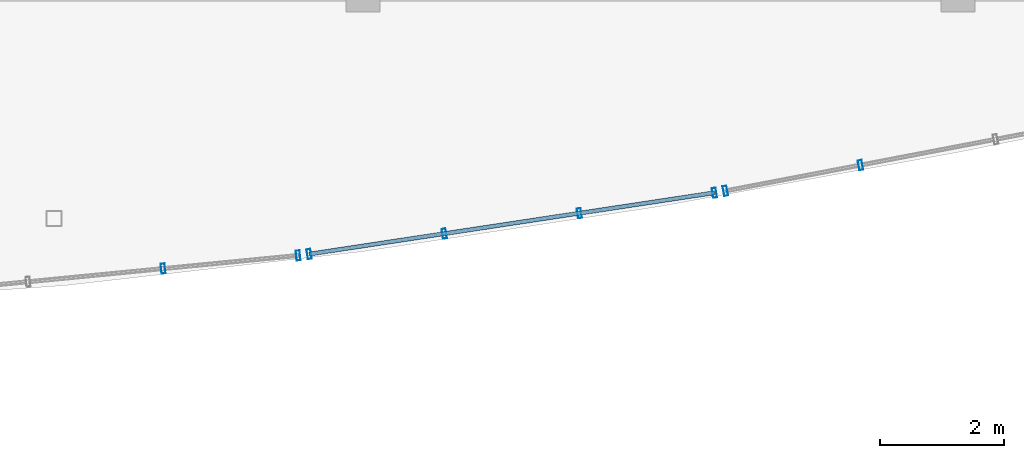
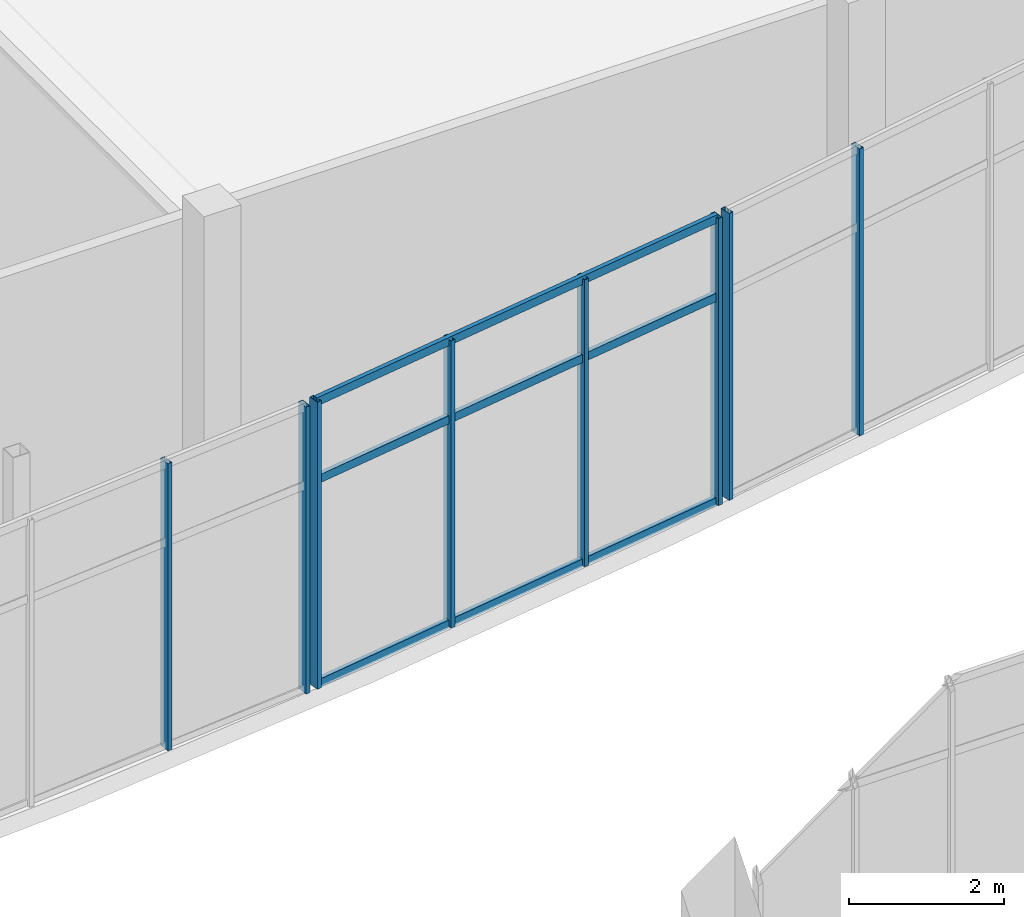
# One storey, part 84 of 157: 11 members, 3 elements without a shape of their own.
"""IFC4 building model written with IfcOpenShell, lengths in metres."""

import ifcopenshell
import ifcopenshell.guid

model = None  # the IFC model being written
_history = None  # IfcOwnerHistory: only IFC2X3 demands one
_inside = {}  # id of a spatial element -> (the spatial element, [elements in it])
_under = {}  # id of a project, library or spatial element -> (it, [spatial elements below it])
_declared = {}  # id of a project -> (the project, [libraries it declares])
_typed = {}  # id of a type object -> (the type object, [elements of that type])
_made_of = {}  # id of a material, layer set ... -> (it, [elements and type objects made of it])


def new_model(schema):
    """Start an empty IFC model of exactly this schema.

    Asked for "IFC4X3", IfcOpenShell would pick the latest addendum, in which some entities
    have other attributes; the version numbers below select the first issue.
    IFC2X3 requires an IfcOwnerHistory on every rooted entity: one is made here for all.
    """
    global model, _history
    if schema == "IFC4X3":
        model = ifcopenshell.file(schema_version=(4, 3, 0, 0))
    else:
        model = ifcopenshell.file(schema=schema)
    _inside.clear()
    _under.clear()
    _declared.clear()
    _typed.clear()
    _made_of.clear()
    _history = None
    if model.schema == "IFC2X3":
        org = make("IfcOrganization", Name="unknown")
        user = make(
            "IfcPersonAndOrganization",
            ThePerson=make("IfcPerson", FamilyName="unknown"),
            TheOrganization=org,
        )
        app = make(
            "IfcApplication",
            ApplicationDeveloper=org,
            Version="unknown",
            ApplicationFullName="unknown",
            ApplicationIdentifier="unknown",
        )
        _history = make(
            "IfcOwnerHistory",
            OwningUser=user,
            OwningApplication=app,
            ChangeAction="ADDED",
            CreationDate=0,
        )
    return model


def make(cls, **values):
    """One entity of the class cls with the attributes given. An attribute that is None is left unset."""
    return model.create_entity(
        cls, **{name: value for name, value in values.items() if value is not None}
    )


def rooted(cls, **values):
    """An entity with a GlobalId (a new one), such as an element, a storey or a relation."""
    return make(cls, GlobalId=ifcopenshell.guid.new(), OwnerHistory=_history, **values)


def si_unit(unit_type, name, prefix=None):
    """IfcSIUnit, for example si_unit("LENGTHUNIT", "METRE", prefix="MILLI")."""
    return make("IfcSIUnit", UnitType=unit_type, Prefix=prefix, Name=name)


def assignment(units):
    """IfcUnitAssignment: the units of a project."""
    return None if units is None else make("IfcUnitAssignment", Units=units)


def point(xyz):
    """IfcCartesianPoint."""
    return None if xyz is None else make("IfcCartesianPoint", Coordinates=xyz)


def direction(xyz):
    """IfcDirection."""
    return None if xyz is None else make("IfcDirection", DirectionRatios=xyz)


def frame(location, z_axis=None, x_axis=None):
    """IfcAxis2Placement3D, a coordinate frame: its origin and axes. An axis left out is left unset."""
    return make(
        "IfcAxis2Placement3D",
        Location=point(location),
        Axis=direction(z_axis),
        RefDirection=direction(x_axis),
    )


def frame_2d(location, x_axis=None):
    """IfcAxis2Placement2D, a coordinate frame in the plane: its origin and x axis."""
    return make(
        "IfcAxis2Placement2D", Location=point(location), RefDirection=direction(x_axis)
    )


def origin():
    """The frame at (0, 0, 0) with its axes left unset."""
    return frame((0.0, 0.0, 0.0))


def origin_2d():
    """The frame at (0, 0) in the plane with its x axis left unset."""
    return frame_2d((0.0, 0.0))


def place(relative_to, where):
    """IfcLocalPlacement: puts the frame where relative to a parent placement (None: the world)."""
    return make(
        "IfcLocalPlacement", PlacementRelTo=relative_to, RelativePlacement=where
    )


def context(
    kind, dimensions, precision=None, world=None, true_north=None, identifier=None
):
    """IfcGeometricRepresentationContext, for example the 3D "Model" context."""
    return make(
        "IfcGeometricRepresentationContext",
        ContextIdentifier=identifier,
        ContextType=kind,
        CoordinateSpaceDimension=dimensions,
        Precision=precision,
        WorldCoordinateSystem=world,
        TrueNorth=true_north,
    )


def subcontext(parent, identifier, kind, view, scale=None):
    """IfcGeometricRepresentationSubContext, for example "Body" below "Model"."""
    return make(
        "IfcGeometricRepresentationSubContext",
        ContextIdentifier=identifier,
        ContextType=kind,
        ParentContext=parent,
        TargetScale=scale,
        TargetView=view,
    )


def project(units=None, contexts=None):
    """IfcProject with its units and contexts."""
    return rooted(
        "IfcProject",
        Name="project",
        RepresentationContexts=contexts,
        UnitsInContext=assignment(units),
    )


def spatial(cls, under=None, at=None, **own):
    """A site, building, storey or space (cls), placed at a placement, below another one or the project."""
    s = rooted(cls, ObjectPlacement=at, **own)
    if under is not None:
        _under.setdefault(under.id(), (under, []))[1].append(s)
    return s


def profile(cls, at=None, kind="AREA", **sizes):
    """A parametric profile (cls). Its sizes go by their IFC names, for example OverallWidth=200.0."""
    return make(cls, ProfileType=kind, Position=at, **sizes)


def hollow_rectangle(**sizes):
    """IfcRectangleHollowProfileDef."""
    return profile("IfcRectangleHollowProfileDef", **sizes)


def extrude(swept, where, along, depth):
    """IfcExtrudedAreaSolid: the profile swept, set in the frame where, extruded along a direction by depth."""
    return make(
        "IfcExtrudedAreaSolid",
        SweptArea=swept,
        Position=where,
        ExtrudedDirection=direction(along),
        Depth=depth,
    )


def shape(context_of_items, identifier, shape_type, items):
    """IfcShapeRepresentation: the items that make up one representation, for example the "Body"."""
    return make(
        "IfcShapeRepresentation",
        ContextOfItems=context_of_items,
        RepresentationIdentifier=identifier,
        RepresentationType=shape_type,
        Items=items,
    )


def material(Name=None, Category=None):
    """IfcMaterial."""
    return make("IfcMaterial", Name=Name, Category=Category)


def layer(
    of_material, thickness, ventilated=None, Name=None, Category=None, Priority=None
):
    """IfcMaterialLayer: one layer of a wall or slab, of a material (None: an air gap)."""
    return make(
        "IfcMaterialLayer",
        Material=of_material,
        LayerThickness=thickness,
        IsVentilated=ventilated,
        Name=Name,
        Category=Category,
        Priority=Priority,
    )


def layer_set(layers, Name=None):
    """IfcMaterialLayerSet."""
    return make("IfcMaterialLayerSet", MaterialLayers=layers, LayerSetName=Name)


def material_profile(
    of_material, cross_section, Name=None, Category=None, Priority=None
):
    """IfcMaterialProfile: a cross section and its material."""
    return make(
        "IfcMaterialProfile",
        Name=Name,
        Material=of_material,
        Profile=cross_section,
        Priority=Priority,
        Category=Category,
    )


def profile_set(profiles, Name=None, composite=None):
    """IfcMaterialProfileSet."""
    return make(
        "IfcMaterialProfileSet",
        Name=Name,
        MaterialProfiles=profiles,
        CompositeProfile=composite,
    )


def made_of(thing, what):
    """Note that an element or type object is made of a material, layer set ...; save() writes the relation."""
    if what is not None:
        _made_of.setdefault(what.id(), (what, []))[1].append(thing)
    return thing


def type_object(cls, material=None, **own):
    """A type object (cls), such as IfcWallType, which elements share."""
    return made_of(rooted(cls, **own), material)


def element(
    cls,
    number,
    at=None,
    inside=None,
    cuts=None,
    type_object=None,
    material=None,
    context=None,
    identifier="Body",
    shape_type=None,
    held_by="IfcProductDefinitionShape",
    body=None,
    shapes=None,
    **own,
):
    """One element of the class cls, such as IfcWall. Its Tag is "e" and its number.

    at: its placement. inside: the storey or other place that contains it. cuts: it is an
    opening in that element (IfcRelVoidsElement). A single representation is given by context,
    identifier, shape_type and body (its items); several are given by shapes. held_by: the class
    of the entity that holds the representations. save() writes the other relations.
    """
    e = rooted(cls, Tag="e%d" % number, ObjectPlacement=at, **own)
    if body is not None:
        shapes = [shape(context, identifier, shape_type, body)]
    if shapes is not None:
        e.Representation = make(held_by, Representations=shapes)
    if inside is not None:
        _inside.setdefault(inside.id(), (inside, []))[1].append(e)
    if cuts is not None:
        rooted(
            "IfcRelVoidsElement", RelatingBuildingElement=cuts, RelatedOpeningElement=e
        )
    if type_object is not None:
        _typed.setdefault(type_object.id(), (type_object, []))[1].append(e)
    return made_of(e, material)


def aggregate(whole, parts):
    """IfcRelAggregates: a whole, such as a stair, and the parts it consists of."""
    return rooted("IfcRelAggregates", RelatingObject=whole, RelatedObjects=parts)


def save(model, path):
    """Write the relations noted so far, then the file.

    IfcRelAggregates (storeys below a building ...), IfcRelContainedInSpatialStructure (elements
    in a storey), IfcRelDefinesByType, IfcRelAssociatesMaterial and IfcRelDeclares: one each for
    every whole, place, type object, material and project.
    """
    for whole, parts in _under.values():
        aggregate(whole, parts)
    for where, things in _inside.values():
        rooted(
            "IfcRelContainedInSpatialStructure",
            RelatedElements=things,
            RelatingStructure=where,
        )
    for kind, things in _typed.values():
        rooted("IfcRelDefinesByType", RelatedObjects=things, RelatingType=kind)
    for what, things in _made_of.values():
        rooted("IfcRelAssociatesMaterial", RelatedObjects=things, RelatingMaterial=what)
    for by, libraries in _declared.values():
        rooted("IfcRelDeclares", RelatingContext=by, RelatedDefinitions=libraries)
    model.write(path)


model = new_model("IFC4")

# Units and contexts
model_context = context("Model", 3, precision=1e-05, world=origin(), true_north=direction((0.0, 1.0)))
body_context = subcontext(model_context, "Body", "Model", "MODEL_VIEW")
ifc_project = project(units=[si_unit("LENGTHUNIT", "METRE"), si_unit("AREAUNIT", "SQUARE_METRE"), si_unit("VOLUMEUNIT", "CUBIC_METRE"), si_unit("PLANEANGLEUNIT", "RADIAN"), si_unit("MASSUNIT", "GRAM", prefix="KILO")], contexts=[model_context])

# Site, building, storey
site_placement = place(None, origin())
site = spatial("IfcSite", under=ifc_project, at=site_placement, CompositionType="ELEMENT")
building_placement = place(site_placement, origin())
building = spatial("IfcBuilding", under=site, at=building_placement, Name="Chalmorin Arch Market", CompositionType="ELEMENT")
storey_placement = place(building_placement, frame((0.0, 0.0, 4.800048828125)))
storey = spatial("IfcBuildingStorey", under=building, at=storey_placement, Name="L01", CompositionType="ELEMENT", Elevation=4.800048828125)

# Curtain wall, members
ifc_material = material(Name="Aluminium 6063-T6", Category="aluminium")
ifc_layer_1 = layer(ifc_material, 0.159912109375)
ifc_layer_set_1 = layer_set([ifc_layer_1], Name="Aluminium 6063-T6")
curtain_wall_type_1 = type_object("IfcCurtainWallType", Name="CulinaryStudioCurtainWall-CW3-6570x4520", PredefinedType="NOTDEFINED", material=ifc_layer_set_1)
curtain_wall_1_placement = place(storey_placement, origin())
curtain_wall_1 = element("IfcCurtainWall", 1, at=curtain_wall_1_placement, inside=storey, type_object=curtain_wall_type_1, Name="CW-03-168", PredefinedType="NOTDEFINED")
ifc_material_profile_1 = material_profile(ifc_material, hollow_rectangle(XDim=0.06494140625, YDim=0.159912109375, WallThickness=0.00390625, at=origin_2d()), Name="ALU65X160X4")
ifc_profile_set_1 = profile_set([ifc_material_profile_1], Name="Aluminium 6063-T6")
member_type_1 = type_object("IfcMemberType", Name="CurtainWallMullion-65x160", PredefinedType="MULLION", material=ifc_profile_set_1)
member_1_placement = place(storey_placement, frame((92.77001953125, 67.578125, 0.0), z_axis=(0.0, 0.0, 1.0), x_axis=(0.994521895368, 0.104528463268, 0.0)))
member_1 = element("IfcMember", 2, at=member_1_placement, type_object=member_type_1, Name="ML-168-03", PredefinedType="MULLION", context=body_context, shape_type="SweptSolid", body=[
    extrude(hollow_rectangle(XDim=0.06494140625, YDim=0.159912109375, WallThickness=0.00390625, at=origin_2d()), origin(), (0.0, 0.0, 1.0), 4.52001953125),
])
member_2_placement = place(storey_placement, frame((94.950439453125, 67.790283203125, 0.0), z_axis=(0.0, 0.0, 1.0), x_axis=(0.994521895368, 0.104528463268, 0.0)))
member_2 = element("IfcMember", 3, at=member_2_placement, type_object=member_type_1, Name="ML-168-04", PredefinedType="MULLION", context=body_context, shape_type="SweptSolid", body=[
    extrude(hollow_rectangle(XDim=0.06494140625, YDim=0.159912109375, WallThickness=0.00390625, at=origin_2d()), origin(), (0.0, 0.0, 1.0), 4.52001953125),
])
aggregate(curtain_wall_1, [member_1, member_2])

ifc_layer_2 = layer(ifc_material, 0.159912109375)
ifc_layer_set_2 = layer_set([ifc_layer_2], Name="Aluminium 6063-T6")
curtain_wall_type_2 = type_object("IfcCurtainWallType", Name="CulinaryStudioCurtainWall-CW3-6620x4520", PredefinedType="NOTDEFINED", material=ifc_layer_set_2)
curtain_wall_2_placement = place(storey_placement, origin())
curtain_wall_2 = element("IfcCurtainWall", 4, at=curtain_wall_2_placement, inside=storey, type_object=curtain_wall_type_2, Name="CW-03-171", PredefinedType="NOTDEFINED")
member_3_placement = place(storey_placement, frame((95.12890625, 67.8125, 0.0), z_axis=(0.0, 0.0, 1.0), x_axis=(0.987688340595, 0.15643446504, 0.0)))
member_3 = element("IfcMember", 5, at=member_3_placement, type_object=member_type_1, Name="ML-171-01", PredefinedType="MULLION", context=body_context, shape_type="SweptSolid", body=[
    extrude(hollow_rectangle(XDim=0.06494140625, YDim=0.159912109375, WallThickness=0.00390625, at=origin_2d()), origin(), (0.0, 0.0, 1.0), 4.52001953125),
])
member_4_placement = place(storey_placement, frame((97.309814453125, 68.142578125, 0.0), z_axis=(0.0, 0.0, 1.0), x_axis=(0.987688340595, 0.15643446504, 0.0)))
member_4 = element("IfcMember", 6, at=member_4_placement, type_object=member_type_1, Name="ML-171-02", PredefinedType="MULLION", context=body_context, shape_type="SweptSolid", body=[
    extrude(hollow_rectangle(XDim=0.06494140625, YDim=0.159912109375, WallThickness=0.00390625, at=origin_2d()), origin(), (0.0, 0.0, 1.0), 4.52001953125),
])
member_5_placement = place(storey_placement, frame((99.490234375, 68.472412109375, 0.0), z_axis=(0.0, 0.0, 1.0), x_axis=(0.987688340595, 0.15643446504, 0.0)))
member_5 = element("IfcMember", 7, at=member_5_placement, type_object=member_type_1, Name="ML-171-03", PredefinedType="MULLION", context=body_context, shape_type="SweptSolid", body=[
    extrude(hollow_rectangle(XDim=0.06494140625, YDim=0.159912109375, WallThickness=0.00390625, at=origin_2d()), origin(), (0.0, 0.0, 1.0), 4.52001953125),
])
member_6_placement = place(storey_placement, frame((101.6708984375, 68.802490234375, 0.0), z_axis=(0.0, 0.0, 1.0), x_axis=(0.987688340595, 0.15643446504, 0.0)))
member_6 = element("IfcMember", 8, at=member_6_placement, type_object=member_type_1, Name="ML-171-04", PredefinedType="MULLION", context=body_context, shape_type="SweptSolid", body=[
    extrude(hollow_rectangle(XDim=0.06494140625, YDim=0.159912109375, WallThickness=0.00390625, at=origin_2d()), origin(), (0.0, 0.0, 1.0), 4.52001953125),
])

ifc_layer_3 = layer(ifc_material, 0.159912109375)
ifc_layer_set_3 = layer_set([ifc_layer_3], Name="Aluminium 6063-T6")
curtain_wall_type_3 = type_object("IfcCurtainWallType", Name="CulinaryStudioCurtainWall-CW3-6660x4520", PredefinedType="NOTDEFINED", material=ifc_layer_set_3)
curtain_wall_3_placement = place(storey_placement, origin())
curtain_wall_3 = element("IfcCurtainWall", 9, at=curtain_wall_3_placement, inside=storey, type_object=curtain_wall_type_3, Name="CW-03-174", PredefinedType="NOTDEFINED")
member_7_placement = place(storey_placement, frame((101.848388671875, 68.8330078125, 0.0), z_axis=(0.0, 0.0, 1.0), x_axis=(0.981627183448, 0.190808995377, 0.0)))
member_7 = element("IfcMember", 10, at=member_7_placement, type_object=member_type_1, Name="ML-174-01", PredefinedType="MULLION", context=body_context, shape_type="SweptSolid", body=[
    extrude(hollow_rectangle(XDim=0.06494140625, YDim=0.159912109375, WallThickness=0.00390625, at=origin_2d()), origin(), (0.0, 0.0, 1.0), 4.52001953125),
])
member_8_placement = place(storey_placement, frame((104.029541015625, 69.249267578125, 0.0), z_axis=(0.0, 0.0, 1.0), x_axis=(0.981627183448, 0.190808995377, 0.0)))
member_8 = element("IfcMember", 11, at=member_8_placement, type_object=member_type_1, Name="ML-174-02", PredefinedType="MULLION", context=body_context, shape_type="SweptSolid", body=[
    extrude(hollow_rectangle(XDim=0.06494140625, YDim=0.159912109375, WallThickness=0.00390625, at=origin_2d()), origin(), (0.0, 0.0, 1.0), 4.52001953125),
])
aggregate(curtain_wall_3, [member_7, member_8])

# Member
ifc_material_profile_2 = material_profile(ifc_material, hollow_rectangle(XDim=0.06494140625, YDim=0.1298828125, WallThickness=0.00390625, at=origin_2d()), Name="ALU65X130X4")
ifc_profile_set_2 = profile_set([ifc_material_profile_2], Name="Aluminium 6063-T6")
member_type_2 = type_object("IfcMemberType", Name="CurtainWallTransom-65x130", PredefinedType="USERDEFINED", material=ifc_profile_set_2)
member_9_placement = place(storey_placement, frame((95.12890625, 67.8125, 0.034912109375), z_axis=(0.988742814157, 0.149625022817, 0.0), x_axis=(-0.149625022817, 0.988742814157, 0.0)))
member_9 = element("IfcMember", 12, at=member_9_placement, type_object=member_type_2, Name="TR-171-01", ObjectType="TRANSOM", PredefinedType="USERDEFINED", context=body_context, shape_type="SweptSolid", body=[
    extrude(hollow_rectangle(XDim=0.06494140625, YDim=0.1298828125, WallThickness=0.00390625, at=origin_2d()), origin(), (0.0, 0.0, 1.0), 6.616455078125),
])

member_10_placement = place(storey_placement, frame((95.12890625, 67.8125, 3.25439453125), z_axis=(0.988742814157, 0.149625022817, 0.0), x_axis=(-0.149625022817, 0.988742814157, 0.0)))
member_10 = element("IfcMember", 13, at=member_10_placement, type_object=member_type_2, Name="TR-171-02", ObjectType="TRANSOM", PredefinedType="USERDEFINED", context=body_context, shape_type="SweptSolid", body=[
    extrude(hollow_rectangle(XDim=0.06494140625, YDim=0.1298828125, WallThickness=0.00390625, at=origin_2d()), origin(), (0.0, 0.0, 1.0), 6.616455078125),
])

member_11_placement = place(storey_placement, frame((95.12890625, 67.8125, 4.48486328125), z_axis=(0.988742814157, 0.149625022817, 0.0), x_axis=(-0.149625022817, 0.988742814157, 0.0)))
member_11 = element("IfcMember", 14, at=member_11_placement, type_object=member_type_2, Name="TR-171-03", ObjectType="TRANSOM", PredefinedType="USERDEFINED", context=body_context, shape_type="SweptSolid", body=[
    extrude(hollow_rectangle(XDim=0.06494140625, YDim=0.1298828125, WallThickness=0.00390625, at=origin_2d()), origin(), (0.0, 0.0, 1.0), 6.616455078125),
])

aggregate(curtain_wall_2, [member_3, member_4, member_5, member_6, member_9, member_10, member_11])

save(model, "model.ifc")
